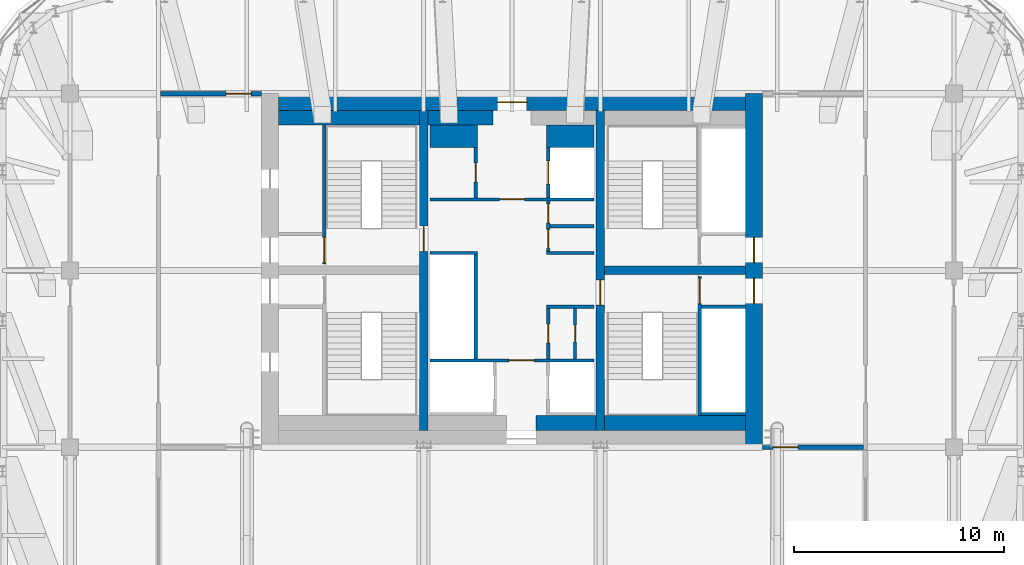
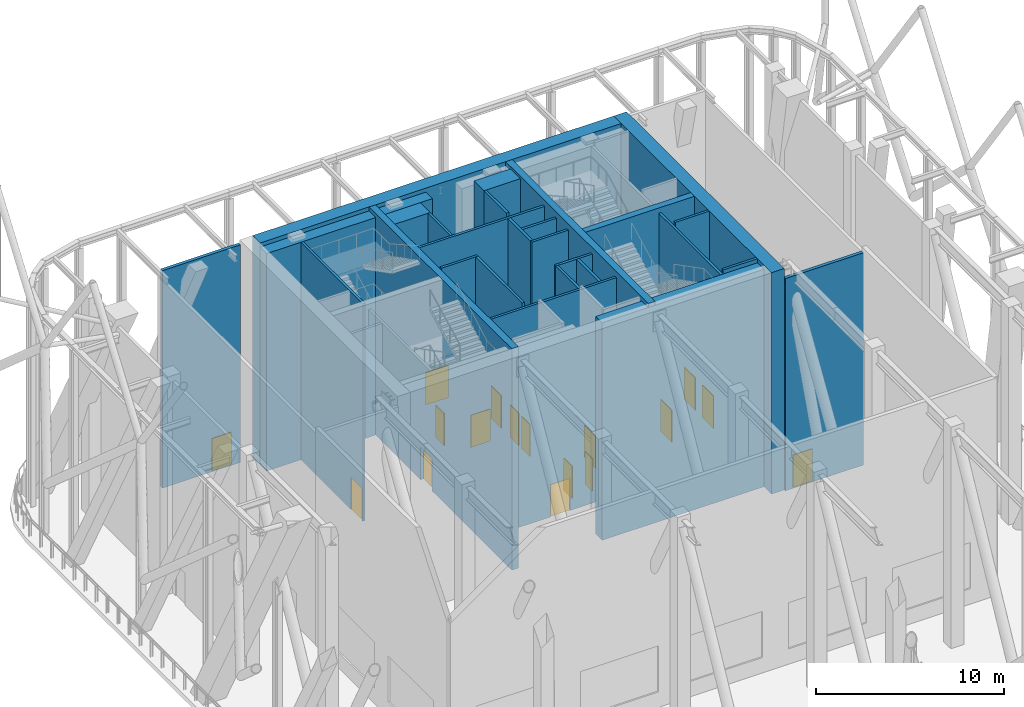
# One storey, part 11 of 20: 27 walls, 17 doors, 17 openings.
"""IFC4 building model written with IfcOpenShell, lengths in metres."""

from ifc_helpers import new_model, si_unit, direction, frame, frame_2d, origin, place, context, subcontext, project, spatial, rectangle, extrude, material, layer, layer_set, type_object, element, fill, save


model = new_model("IFC4")

# Units and contexts
model_context = context("Model", 3, precision=1e-05, world=origin(), true_north=direction((0.0, 1.0)))
body_context = subcontext(model_context, "Body", "Model", "MODEL_VIEW")
ifc_project = project(units=[si_unit("LENGTHUNIT", "METRE"), si_unit("AREAUNIT", "SQUARE_METRE"), si_unit("VOLUMEUNIT", "CUBIC_METRE"), si_unit("PLANEANGLEUNIT", "RADIAN"), si_unit("MASSUNIT", "GRAM", prefix="KILO")], contexts=[model_context])

# Site, building, storey
site_placement = place(None, origin())
site = spatial("IfcSite", under=ifc_project, at=site_placement, CompositionType="ELEMENT")
building_placement = place(site_placement, origin())
building = spatial("IfcBuilding", under=site, at=building_placement, Name="Marenta Gate Hotel Tower", CompositionType="ELEMENT")
storey_placement = place(building_placement, frame((0.0, 0.0, 252.5)))
storey = spatial("IfcBuildingStorey", under=building, at=storey_placement, Name="L60", CompositionType="ELEMENT", Elevation=252.5)

# Wall, opening, door
ifc_material_1 = material(Name="Concrete blockwork", Category="masonry")
ifc_layer_1 = layer(ifc_material_1, 0.199951171875)
ifc_layer_set_1 = layer_set([ifc_layer_1], Name="Concrete blockwork")
wall_type_1 = type_object("IfcWallType", Name="Core boundary wall 200 REI 180", PredefinedType="PARTITIONING", material=ifc_layer_set_1)
wall_1_placement = place(storey_placement, frame((-16.699951171875, 16.800048828125, 0.0), z_axis=(0.0, 0.0, 1.0), x_axis=(1.0, 0.0, 0.0)))
wall_1 = element("IfcWall", 1, at=wall_1_placement, inside=storey, type_object=wall_type_1, Name="L60-CP-EW-WN", PredefinedType="PARTITIONING", context=body_context, shape_type="SweptSolid", body=[
    extrude(rectangle(XDim=4.800048828125, YDim=0.199951171875, at=frame_2d((2.39990234375, 0.0))), origin(), (0.0, 0.0, 1.0), 14.139892578125),
])
opening_1_placement = place(wall_1_placement, frame((3.10009765625, 0.0, 0.0)))
opening_1 = element("IfcOpeningElement", 2, at=opening_1_placement, cuts=wall_1, Name="Opening RFD-WN", PredefinedType="OPENING", context=body_context, shape_type="SweptSolid", body=[
    extrude(rectangle(XDim=1.199951171875, YDim=2.10009765625, at=frame_2d((0.60009765625, 1.050048828125))), frame((0.0, 0.10009765625, 0.0), z_axis=(0.0, -1.0, 0.0), x_axis=(1.0, 0.0, 0.0)), (0.0, 0.0, 1.0), 0.199951171875),
])
ifc_material_2 = material(Name="Steel", Category="steel")
door_type_1 = type_object("IfcDoorType", Name="Core lobby door 1200x2100 FD60", OperationType="SINGLE_SWING_LEFT", PredefinedType="DOOR", material=ifc_material_2)
door_1_placement = place(opening_1_placement, origin())
door_1 = element("IfcDoor", 3, at=door_1_placement, inside=storey, type_object=door_type_1, Name="RFD-WN", OperationType="SINGLE_SWING_LEFT", OverallHeight=2.10009765625, OverallWidth=1.199951171875, PredefinedType="DOOR", context=body_context, shape_type="SweptSolid", body=[
    extrude(rectangle(XDim=1.199951171875, YDim=2.10009765625, at=frame_2d((0.60009765625, 1.050048828125))), frame((0.0, 0.02490234375, 0.0), z_axis=(0.0, -1.0, 0.0), x_axis=(1.0, 0.0, 0.0)), (0.0, 0.0, 1.0), 0.050048828125),
])
fill(opening_1, door_1)

wall_2_placement = place(storey_placement, frame((11.89990234375, 0.0, 0.0), z_axis=(0.0, 0.0, 1.0), x_axis=(1.0, 0.0, 0.0)))
wall_2 = element("IfcWall", 4, at=wall_2_placement, inside=storey, type_object=wall_type_1, Name="L60-CP-EW-ES", PredefinedType="PARTITIONING", context=body_context, shape_type="SweptSolid", body=[
    extrude(rectangle(XDim=4.800048828125, YDim=0.199951171875, at=frame_2d((2.39990234375, 0.0))), origin(), (0.0, 0.0, 1.0), 13.800048828125),
])
opening_2_placement = place(wall_2_placement, frame((0.5, 0.0, 0.0)))
opening_2 = element("IfcOpeningElement", 5, at=opening_2_placement, cuts=wall_2, Name="Opening RFD-ES", PredefinedType="OPENING", context=body_context, shape_type="SweptSolid", body=[
    extrude(rectangle(XDim=1.199951171875, YDim=2.10009765625, at=frame_2d((0.60009765625, 1.050048828125))), frame((0.0, 0.10009765625, 0.0), z_axis=(0.0, -1.0, 0.0), x_axis=(1.0, 0.0, 0.0)), (0.0, 0.0, 1.0), 0.199951171875),
])
door_2_placement = place(opening_2_placement, origin())
door_2 = element("IfcDoor", 6, at=door_2_placement, inside=storey, type_object=door_type_1, Name="RFD-ES", OperationType="SINGLE_SWING_LEFT", OverallHeight=2.10009765625, OverallWidth=1.199951171875, PredefinedType="DOOR", context=body_context, shape_type="SweptSolid", body=[
    extrude(rectangle(XDim=1.199951171875, YDim=2.10009765625, at=frame_2d((0.60009765625, 1.050048828125))), frame((0.0, 0.02490234375, 0.0), z_axis=(0.0, -1.0, 0.0), x_axis=(1.0, 0.0, 0.0)), (0.0, 0.0, 1.0), 0.050048828125),
])
fill(opening_2, door_2)

# Walls
ifc_material_3 = material(Name="Concrete C40", Category="concrete")
ifc_layer_2 = layer(ifc_material_3, 0.699951171875)
ifc_layer_set_2 = layer_set([ifc_layer_2], Name="Concrete C40")
wall_type_2 = type_object("IfcWallType", Name="Core lining wall 700 REI 180", PredefinedType="PARTITIONING", material=ifc_layer_set_2)
wall_3_placement = place(storey_placement, frame((1.14990234375, 1.14990234375, 0.0), z_axis=(0.0, 0.0, 1.0), x_axis=(1.0, 0.0, 0.0)))
element("IfcWall", 7, at=wall_3_placement, inside=storey, type_object=wall_type_2, Name="L60-CP-LN-S2", PredefinedType="PARTITIONING", context=body_context, shape_type="SweptSolid", body=[
    extrude(rectangle(XDim=9.9501953125, YDim=0.699951171875, at=frame_2d((4.97509765625, 0.0))), origin(), (0.0, 0.0, 1.0), 14.139892578125),
])
wall_4_placement = place(storey_placement, frame((-11.10009765625, 15.64990234375, 0.0), z_axis=(0.0, 0.0, 1.0), x_axis=(1.0, 0.0, 0.0)))
element("IfcWall", 8, at=wall_4_placement, inside=storey, type_object=wall_type_2, Name="L60-CP-LN-N1", PredefinedType="PARTITIONING", context=body_context, shape_type="SweptSolid", body=[
    extrude(rectangle(XDim=10.2001953125, YDim=0.699951171875, at=frame_2d((5.10009765625, 0.0))), origin(), (0.0, 0.0, 1.0), 14.139892578125),
])

# Wall, opening, door
ifc_material_4 = material(Name="Concrete blockwork", Category="masonry")
ifc_layer_3 = layer(ifc_material_4, 0.14990234375)
ifc_layer_set_3 = layer_set([ifc_layer_3], Name="Concrete blockwork")
wall_type_3 = type_object("IfcWallType", Name="Core lobby partition 150 REI 180", PredefinedType="PARTITIONING", material=ifc_layer_set_3)
wall_5_placement = place(storey_placement, frame((-3.89990234375, 4.125, 0.0), z_axis=(0.0, 0.0, 1.0), x_axis=(1.0, 0.0, 0.0)))
wall_5 = element("IfcWall", 9, at=wall_5_placement, inside=storey, type_object=wall_type_3, Name="L60-CP-CW-S", PredefinedType="PARTITIONING", context=body_context, shape_type="SweptSolid", body=[
    extrude(rectangle(XDim=7.7998046875, YDim=0.14990234375, at=frame_2d((3.89990234375, 0.0))), origin(), (0.0, 0.0, 1.0), 14.139892578125),
])
opening_3_placement = place(wall_5_placement, frame((3.75, 0.0, 0.0)))
opening_3 = element("IfcOpeningElement", 10, at=opening_3_placement, cuts=wall_5, Name="Opening FD-FFS", PredefinedType="OPENING", context=body_context, shape_type="SweptSolid", body=[
    extrude(rectangle(XDim=1.199951171875, YDim=2.10009765625, at=frame_2d((0.60009765625, 1.050048828125))), frame((0.0, 0.074951171875, 0.0), z_axis=(0.0, -1.0, 0.0), x_axis=(1.0, 0.0, 0.0)), (0.0, 0.0, 1.0), 0.14990234375),
])
door_3_placement = place(opening_3_placement, origin())
door_3 = element("IfcDoor", 11, at=door_3_placement, inside=storey, type_object=door_type_1, Name="FD-FFS", OperationType="SINGLE_SWING_LEFT", OverallHeight=2.10009765625, OverallWidth=1.199951171875, PredefinedType="DOOR", context=body_context, shape_type="SweptSolid", body=[
    extrude(rectangle(XDim=1.199951171875, YDim=2.10009765625, at=frame_2d((0.60009765625, 1.050048828125))), frame((0.0, 0.02490234375, 0.0), z_axis=(0.0, -1.0, 0.0), x_axis=(1.0, 0.0, 0.0)), (0.0, 0.0, 1.0), 0.050048828125),
])
fill(opening_3, door_3)

wall_6_placement = place(storey_placement, frame((-3.89990234375, 11.77490234375, 0.0), z_axis=(0.0, 0.0, 1.0), x_axis=(1.0, 0.0, 0.0)))
wall_6 = element("IfcWall", 12, at=wall_6_placement, inside=storey, type_object=wall_type_3, Name="L60-CP-CW-N", PredefinedType="PARTITIONING", context=body_context, shape_type="SweptSolid", body=[
    extrude(rectangle(XDim=7.7998046875, YDim=0.14990234375, at=frame_2d((3.89990234375, 0.0))), origin(), (0.0, 0.0, 1.0), 14.139892578125),
])
opening_4_placement = place(wall_6_placement, frame((3.300048828125, 0.0, 0.0)))
opening_4 = element("IfcOpeningElement", 13, at=opening_4_placement, cuts=wall_6, Name="Opening FD-FFN", PredefinedType="OPENING", context=body_context, shape_type="SweptSolid", body=[
    extrude(rectangle(XDim=1.199951171875, YDim=2.10009765625, at=frame_2d((0.60009765625, 1.050048828125))), frame((0.0, 0.074951171875, 0.0), z_axis=(0.0, -1.0, 0.0), x_axis=(1.0, 0.0, 0.0)), (0.0, 0.0, 1.0), 0.14990234375),
])
door_4_placement = place(opening_4_placement, origin())
door_4 = element("IfcDoor", 14, at=door_4_placement, inside=storey, type_object=door_type_1, Name="FD-FFN", OperationType="SINGLE_SWING_LEFT", OverallHeight=2.10009765625, OverallWidth=1.199951171875, PredefinedType="DOOR", context=body_context, shape_type="SweptSolid", body=[
    extrude(rectangle(XDim=1.199951171875, YDim=2.10009765625, at=frame_2d((0.60009765625, 1.050048828125))), frame((0.0, 0.02490234375, 0.0), z_axis=(0.0, -1.0, 0.0), x_axis=(1.0, 0.0, 0.0)), (0.0, 0.0, 1.0), 0.050048828125),
])
fill(opening_4, door_4)

# Wall
ifc_material_5 = material(Name="Concrete blockwork", Category="masonry")
ifc_layer_4 = layer(ifc_material_5, 1.050048828125)
ifc_layer_set_4 = layer_set([ifc_layer_4], Name="Concrete blockwork")
wall_type_4 = type_object("IfcWallType", Name="Core room partition 1050 REI 180", PredefinedType="PARTITIONING", material=ifc_layer_set_4)
wall_7_placement = place(storey_placement, frame((-3.89990234375, 14.77490234375, 0.0), z_axis=(0.0, 0.0, 1.0), x_axis=(1.0, 0.0, 0.0)))
element("IfcWall", 15, at=wall_7_placement, inside=storey, type_object=wall_type_4, Name="L60-CP-CW-W-riser-N", PredefinedType="PARTITIONING", context=body_context, shape_type="SweptSolid", body=[
    extrude(rectangle(XDim=2.25, YDim=1.050048828125, at=frame_2d((1.125, 0.0))), origin(), (0.0, 0.0, 1.0), 14.139892578125),
])

# Wall, opening, door
ifc_material_6 = material(Name="Concrete blockwork", Category="masonry")
ifc_layer_5 = layer(ifc_material_6, 0.14990234375)
ifc_layer_set_5 = layer_set([ifc_layer_5], Name="Concrete blockwork")
wall_type_5 = type_object("IfcWallType", Name="Core room partition 150 REI 180", PredefinedType="PARTITIONING", material=ifc_layer_set_5)
wall_8_placement = place(storey_placement, frame((-1.72509765625, 11.85009765625, 0.0), z_axis=(0.0, 0.0, 1.0), x_axis=(0.0, 1.0, 0.0)))
wall_8 = element("IfcWall", 16, at=wall_8_placement, inside=storey, type_object=wall_type_5, Name="L60-CP-CW-W-riser-front", PredefinedType="PARTITIONING", context=body_context, shape_type="SweptSolid", body=[
    extrude(rectangle(XDim=2.39990234375, YDim=0.14990234375, at=frame_2d((1.199951171875, 0.0))), origin(), (0.0, 0.0, 1.0), 14.139892578125),
])
opening_5_placement = place(wall_8_placement, frame((0.75, 0.0, 0.0)))
opening_5 = element("IfcOpeningElement", 17, at=opening_5_placement, cuts=wall_8, Name="Opening RD-CRISER", PredefinedType="OPENING", context=body_context, shape_type="SweptSolid", body=[
    extrude(rectangle(XDim=0.89990234375, YDim=2.10009765625, at=frame_2d((0.449951171875, 1.050048828125))), frame((0.0, 0.074951171875, 0.0), z_axis=(0.0, -1.0, 0.0), x_axis=(1.0, 0.0, 0.0)), (0.0, 0.0, 1.0), 0.14990234375),
])
ifc_material_7 = material(Name="Steel", Category="steel")
door_type_2 = type_object("IfcDoorType", Name="Core riser door 900x2100 FD60", OperationType="SINGLE_SWING_LEFT", PredefinedType="DOOR", material=ifc_material_7)
door_5_placement = place(opening_5_placement, origin())
door_5 = element("IfcDoor", 18, at=door_5_placement, inside=storey, type_object=door_type_2, Name="RD-CRISER", OperationType="SINGLE_SWING_LEFT", OverallHeight=2.10009765625, OverallWidth=0.89990234375, PredefinedType="DOOR", context=body_context, shape_type="SweptSolid", body=[
    extrude(rectangle(XDim=0.89990234375, YDim=2.10009765625, at=frame_2d((0.449951171875, 1.050048828125))), frame((0.0, 0.02490234375, 0.0), z_axis=(0.0, -1.0, 0.0), x_axis=(1.0, 0.0, 0.0)), (0.0, 0.0, 1.0), 0.050048828125),
])
fill(opening_5, door_5)

# Walls
for number, where, z_axis, x_axis, name in (
    (19, (1.64990234375, 6.675048828125, 0.0), (0.0, 0.0, 1.0), (1.0, 0.0, 0.0), "L60-CP-CE-sep1"),
    (20, (1.64990234375, 9.22509765625, 0.0), (0.0, 0.0, 1.0), (1.0, 0.0, 0.0), "L60-CP-CE-sep2"),
):
    element("IfcWall", number, at=place(storey_placement, frame(where, z_axis=z_axis, x_axis=x_axis)), inside=storey, type_object=wall_type_5, Name=name, PredefinedType="PARTITIONING", context=body_context, shape_type="SweptSolid", body=[
        extrude(rectangle(XDim=2.25, YDim=0.14990234375, at=frame_2d((1.125, 0.0))), origin(), (0.0, 0.0, 1.0), 14.139892578125),
    ])

# Wall, opening, door
wall_9_placement = place(storey_placement, frame((1.72509765625, 4.199951171875, 0.0), z_axis=(0.0, 0.0, 1.0), x_axis=(0.0, 1.0, 0.0)))
wall_9 = element("IfcWall", 21, at=wall_9_placement, inside=storey, type_object=wall_type_5, Name="L60-CP-CE-front-1", PredefinedType="PARTITIONING", context=body_context, shape_type="SweptSolid", body=[
    extrude(rectangle(XDim=2.400146484375, YDim=0.14990234375, at=frame_2d((1.2001953125, 0.0))), origin(), (0.0, 0.0, 1.0), 14.139892578125),
])
opening_6_placement = place(wall_9_placement, frame((0.75, 0.0, 0.0)))
opening_6 = element("IfcOpeningElement", 22, at=opening_6_placement, cuts=wall_9, Name="Opening RD-CE-1a", PredefinedType="OPENING", context=body_context, shape_type="SweptSolid", body=[
    extrude(rectangle(XDim=0.89990234375, YDim=2.10009765625, at=frame_2d((0.449951171875, 1.050048828125))), frame((0.0, 0.074951171875, 0.0), z_axis=(0.0, -1.0, 0.0), x_axis=(1.0, 0.0, 0.0)), (0.0, 0.0, 1.0), 0.14990234375),
])
ifc_material_8 = material(Name="Steel", Category="steel")
door_type_3 = type_object("IfcDoorType", Name="Core service room door 900x2100 FD30S", OperationType="SINGLE_SWING_LEFT", PredefinedType="DOOR", material=ifc_material_8)
door_6_placement = place(opening_6_placement, origin())
door_6 = element("IfcDoor", 23, at=door_6_placement, inside=storey, type_object=door_type_3, Name="RD-CE-1a", OperationType="SINGLE_SWING_LEFT", OverallHeight=2.10009765625, OverallWidth=0.89990234375, PredefinedType="DOOR", context=body_context, shape_type="SweptSolid", body=[
    extrude(rectangle(XDim=0.89990234375, YDim=2.10009765625, at=frame_2d((0.449951171875, 1.050048828125))), frame((0.0, 0.02490234375, 0.0), z_axis=(0.0, -1.0, 0.0), x_axis=(1.0, 0.0, 0.0)), (0.0, 0.0, 1.0), 0.050048828125),
])
fill(opening_6, door_6)

# Wall, openings, doors
wall_10_placement = place(storey_placement, frame((1.72509765625, 9.300048828125, 0.0), z_axis=(0.0, 0.0, 1.0), x_axis=(0.0, 1.0, 0.0)))
wall_10 = element("IfcWall", 24, at=wall_10_placement, inside=storey, type_object=wall_type_5, Name="L60-CP-CE-front-2", PredefinedType="PARTITIONING", context=body_context, shape_type="SweptSolid", body=[
    extrude(rectangle(XDim=2.39990234375, YDim=0.14990234375, at=frame_2d((1.199951171875, 0.0))), origin(), (0.0, 0.0, 1.0), 14.139892578125),
])
opening_7_placement = place(wall_10_placement, frame((0.14990234375, 0.0, 0.0)))
opening_7 = element("IfcOpeningElement", 25, at=opening_7_placement, cuts=wall_10, Name="Opening RD-CE-2a", PredefinedType="OPENING", context=body_context, shape_type="SweptSolid", body=[
    extrude(rectangle(XDim=0.89990234375, YDim=2.10009765625, at=frame_2d((0.449951171875, 1.050048828125))), frame((0.0, 0.074951171875, 0.0), z_axis=(0.0, -1.0, 0.0), x_axis=(1.0, 0.0, 0.0)), (0.0, 0.0, 1.0), 0.14990234375),
])
opening_8_placement = place(wall_10_placement, frame((1.35009765625, 0.0, 0.0)))
opening_8 = element("IfcOpeningElement", 26, at=opening_8_placement, cuts=wall_10, Name="Opening RD-CE-2b-B", PredefinedType="OPENING", context=body_context, shape_type="SweptSolid", body=[
    extrude(rectangle(XDim=0.89990234375, YDim=2.10009765625, at=frame_2d((0.449951171875, 1.050048828125))), frame((0.0, 0.074951171875, 0.0), z_axis=(0.0, -1.0, 0.0), x_axis=(1.0, 0.0, 0.0)), (0.0, 0.0, 1.0), 0.14990234375),
])
door_7_placement = place(opening_7_placement, origin())
door_7 = element("IfcDoor", 27, at=door_7_placement, inside=storey, type_object=door_type_3, Name="RD-CE-2a", OperationType="SINGLE_SWING_LEFT", OverallHeight=2.10009765625, OverallWidth=0.89990234375, PredefinedType="DOOR", context=body_context, shape_type="SweptSolid", body=[
    extrude(rectangle(XDim=0.89990234375, YDim=2.10009765625, at=frame_2d((0.449951171875, 1.050048828125))), frame((0.0, 0.02490234375, 0.0), z_axis=(0.0, -1.0, 0.0), x_axis=(1.0, 0.0, 0.0)), (0.0, 0.0, 1.0), 0.050048828125),
])
fill(opening_7, door_7)
door_8_placement = place(opening_8_placement, origin())
door_8 = element("IfcDoor", 28, at=door_8_placement, inside=storey, type_object=door_type_3, Name="RD-CE-2b-B", OperationType="SINGLE_SWING_LEFT", OverallHeight=2.10009765625, OverallWidth=0.89990234375, PredefinedType="DOOR", context=body_context, shape_type="SweptSolid", body=[
    extrude(rectangle(XDim=0.89990234375, YDim=2.10009765625, at=frame_2d((0.449951171875, 1.050048828125))), frame((0.0, 0.02490234375, 0.0), z_axis=(0.0, -1.0, 0.0), x_axis=(1.0, 0.0, 0.0)), (0.0, 0.0, 1.0), 0.050048828125),
])
fill(opening_8, door_8)

# Wall, opening, door
wall_11_placement = place(storey_placement, frame((3.0, 4.199951171875, 0.0), z_axis=(0.0, 0.0, 1.0), x_axis=(0.0, 1.0, 0.0)))
wall_11 = element("IfcWall", 29, at=wall_11_placement, inside=storey, type_object=wall_type_5, Name="L60-CP-CE-RW-1", PredefinedType="PARTITIONING", context=body_context, shape_type="SweptSolid", body=[
    extrude(rectangle(XDim=2.400146484375, YDim=0.14990234375, at=frame_2d((1.2001953125, 0.0))), origin(), (0.0, 0.0, 1.0), 14.139892578125),
])
opening_9_placement = place(wall_11_placement, frame((0.800048828125, 0.0, 0.0)))
opening_9 = element("IfcOpeningElement", 30, at=opening_9_placement, cuts=wall_11, Name="Opening RD-CE-1b-A", PredefinedType="OPENING", context=body_context, shape_type="SweptSolid", body=[
    extrude(rectangle(XDim=0.800048828125, YDim=2.10009765625, at=frame_2d((0.39990234375, 1.050048828125))), frame((0.0, 0.074951171875, 0.0), z_axis=(0.0, -1.0, 0.0), x_axis=(1.0, 0.0, 0.0)), (0.0, 0.0, 1.0), 0.14990234375),
])
ifc_material_9 = material(Name="Steel", Category="steel")
door_type_4 = type_object("IfcDoorType", Name="Core riser door 800x2100 FD60", OperationType="SINGLE_SWING_LEFT", PredefinedType="DOOR", material=ifc_material_9)
door_9_placement = place(opening_9_placement, origin())
door_9 = element("IfcDoor", 31, at=door_9_placement, inside=storey, type_object=door_type_4, Name="RD-CE-1b-A", OperationType="SINGLE_SWING_LEFT", OverallHeight=2.10009765625, OverallWidth=0.800048828125, PredefinedType="DOOR", context=body_context, shape_type="SweptSolid", body=[
    extrude(rectangle(XDim=0.800048828125, YDim=2.10009765625, at=frame_2d((0.39990234375, 1.050048828125))), frame((0.0, 0.02490234375, 0.0), z_axis=(0.0, -1.0, 0.0), x_axis=(1.0, 0.0, 0.0)), (0.0, 0.0, 1.0), 0.050048828125),
])
fill(opening_9, door_9)

# Walls
wall_12_placement = place(storey_placement, frame((1.800048828125, 10.5, 0.0), z_axis=(0.0, 0.0, 1.0), x_axis=(1.0, 0.0, 0.0)))
element("IfcWall", 32, at=wall_12_placement, inside=storey, type_object=wall_type_5, Name="L60-CP-CE-RW-2", PredefinedType="PARTITIONING", context=body_context, shape_type="SweptSolid", body=[
    extrude(rectangle(XDim=2.099853515625, YDim=0.14990234375, at=frame_2d((1.0498046875, 0.0))), origin(), (0.0, 0.0, 1.0), 14.139892578125),
])
ifc_material_10 = material(Name="Concrete C40", Category="concrete")
ifc_layer_6 = layer(ifc_material_10, 1.050048828125)
ifc_layer_set_6 = layer_set([ifc_layer_6], Name="Concrete C40")
wall_type_6 = type_object("IfcWallType", Name="Core shaft wall 1050 REI 180", PredefinedType="SHEAR", material=ifc_layer_set_6)
wall_13_placement = place(storey_placement, frame((1.64990234375, 14.77490234375, 0.0), z_axis=(0.0, 0.0, 1.0), x_axis=(1.0, 0.0, 0.0)))
element("IfcWall", 33, at=wall_13_placement, inside=storey, type_object=wall_type_6, Name="L60-SHF-CE-N-top", PredefinedType="SHEAR", context=body_context, shape_type="SweptSolid", body=[
    extrude(rectangle(XDim=2.25, YDim=1.050048828125, at=frame_2d((1.125, 0.0))), origin(), (0.0, 0.0, 1.0), 14.39990234375),
])
ifc_material_11 = material(Name="Concrete C40", Category="concrete")
ifc_layer_7 = layer(ifc_material_11, 0.14990234375)
ifc_layer_set_7 = layer_set([ifc_layer_7], Name="Concrete C40")
wall_type_7 = type_object("IfcWallType", Name="Core shaft wall 150 REI 180", PredefinedType="SHEAR", material=ifc_layer_set_7)
for number, where, z_axis, x_axis, name in (
    (34, (9.0, 6.675048828125, 0.0), (0.0, 0.0, 1.0), (1.0, 0.0, 0.0), "L60-SHF-SW-ES-2"),
    (35, (9.0, 1.574951171875, 0.0), (0.0, 0.0, 1.0), (1.0, 0.0, 0.0), "L60-SHF-SW-ES-5"),
):
    element("IfcWall", number, at=place(storey_placement, frame(where, z_axis=z_axis, x_axis=x_axis)), inside=storey, type_object=wall_type_7, Name=name, PredefinedType="SHEAR", context=body_context, shape_type="SweptSolid", body=[
        extrude(rectangle(XDim=2.10009765625, YDim=0.14990234375, at=frame_2d((1.050048828125, 0.0))), origin(), (0.0, 0.0, 1.0), 14.39990234375),
    ])
wall_14_placement = place(storey_placement, frame((-1.72509765625, 4.199951171875, 0.0), z_axis=(0.0, 0.0, 1.0), x_axis=(0.0, 1.0, 0.0)))
element("IfcWall", 36, at=wall_14_placement, inside=storey, type_object=wall_type_7, Name="L60-SHF-CW-W-front", PredefinedType="SHEAR", context=body_context, shape_type="SweptSolid", body=[
    extrude(rectangle(XDim=4.949951171875, YDim=0.14990234375, at=frame_2d((2.47509765625, 0.0))), origin(), (0.0, 0.0, 1.0), 14.39990234375),
])
wall_15_placement = place(storey_placement, frame((-3.89990234375, 9.22509765625, 0.0), z_axis=(0.0, 0.0, 1.0), x_axis=(1.0, 0.0, 0.0)))
element("IfcWall", 37, at=wall_15_placement, inside=storey, type_object=wall_type_7, Name="L60-SHF-CW-W-sep", PredefinedType="SHEAR", context=body_context, shape_type="SweptSolid", body=[
    extrude(rectangle(XDim=2.25, YDim=0.14990234375, at=frame_2d((1.125, 0.0))), origin(), (0.0, 0.0, 1.0), 14.39990234375),
])

# Wall, opening, door
wall_16_placement = place(storey_placement, frame((1.72509765625, 11.85009765625, 0.0), z_axis=(0.0, 0.0, 1.0), x_axis=(0.0, 1.0, 0.0)))
wall_16 = element("IfcWall", 38, at=wall_16_placement, inside=storey, type_object=wall_type_7, Name="L60-SHF-CE-N-front2", PredefinedType="SHEAR", context=body_context, shape_type="SweptSolid", body=[
    extrude(rectangle(XDim=2.39990234375, YDim=0.14990234375, at=frame_2d((1.199951171875, 0.0))), origin(), (0.0, 0.0, 1.0), 14.39990234375),
])
opening_10_placement = place(wall_16_placement, frame((0.64990234375, 0.0, 0.0)))
opening_10 = element("IfcOpeningElement", 39, at=opening_10_placement, cuts=wall_16, Name="Opening LD-FF2", PredefinedType="OPENING", context=body_context, shape_type="SweptSolid", body=[
    extrude(rectangle(XDim=1.10009765625, YDim=2.10009765625, at=frame_2d((0.550048828125, 1.050048828125))), frame((0.0, 0.074951171875, 0.0), z_axis=(0.0, -1.0, 0.0), x_axis=(1.0, 0.0, 0.0)), (0.0, 0.0, 1.0), 0.14990234375),
])
ifc_material_12 = material(Name="Steel", Category="steel")
door_type_5 = type_object("IfcDoorType", Name="Core lift landing door 1100x2100 E 60", OperationType="SLIDING_TO_LEFT", PredefinedType="DOOR", material=ifc_material_12)
door_10_placement = place(opening_10_placement, origin())
door_10 = element("IfcDoor", 40, at=door_10_placement, inside=storey, type_object=door_type_5, Name="LD-FF2", OperationType="SLIDING_TO_LEFT", OverallHeight=2.10009765625, OverallWidth=1.10009765625, PredefinedType="DOOR", context=body_context, shape_type="SweptSolid", body=[
    extrude(rectangle(XDim=1.10009765625, YDim=2.10009765625, at=frame_2d((0.550048828125, 1.050048828125))), frame((0.0, 0.02490234375, 0.0), z_axis=(0.0, -1.0, 0.0), x_axis=(1.0, 0.0, 0.0)), (0.0, 0.0, 1.0), 0.050048828125),
])
fill(opening_10, door_10)

ifc_material_13 = material(Name="Concrete C40", Category="concrete")
ifc_layer_8 = layer(ifc_material_13, 0.14990234375)
ifc_layer_set_8 = layer_set([ifc_layer_8], Name="Concrete C40")
wall_type_8 = type_object("IfcWallType", Name="Core stair enclosure wall 150 REI 180", PredefinedType="SHEAR", material=ifc_layer_set_8)
wall_17_placement = place(storey_placement, frame((-8.925048828125, 8.699951171875, 0.0), z_axis=(0.0, 0.0, 1.0), x_axis=(0.0, 1.0, 0.0)))
wall_17 = element("IfcWall", 41, at=wall_17_placement, inside=storey, type_object=wall_type_8, Name="L60-SHF-SW-WN-3", PredefinedType="SHEAR", context=body_context, shape_type="SweptSolid", body=[
    extrude(rectangle(XDim=6.60009765625, YDim=0.14990234375, at=frame_2d((3.300048828125, 0.0))), origin(), (0.0, 0.0, 1.0), 14.139892578125),
])
opening_11_placement = place(wall_17_placement, frame((0.074951171875, 0.0, 0.0)))
opening_11 = element("IfcOpeningElement", 42, at=opening_11_placement, cuts=wall_17, Name="Opening SD-WN", PredefinedType="OPENING", context=body_context, shape_type="SweptSolid", body=[
    extrude(rectangle(XDim=1.199951171875, YDim=2.10009765625, at=frame_2d((0.60009765625, 1.050048828125))), frame((0.0, 0.074951171875, 0.0), z_axis=(0.0, -1.0, 0.0), x_axis=(1.0, 0.0, 0.0)), (0.0, 0.0, 1.0), 0.14990234375),
])
ifc_material_14 = material(Name="Steel", Category="steel")
door_type_6 = type_object("IfcDoorType", Name="Core stair door 1200x2100 FD60", OperationType="SINGLE_SWING_LEFT", PredefinedType="DOOR", material=ifc_material_14)
door_11_placement = place(opening_11_placement, origin())
door_11 = element("IfcDoor", 43, at=door_11_placement, inside=storey, type_object=door_type_6, Name="SD-WN", OperationType="SINGLE_SWING_LEFT", OverallHeight=2.10009765625, OverallWidth=1.199951171875, PredefinedType="DOOR", context=body_context, shape_type="SweptSolid", body=[
    extrude(rectangle(XDim=1.199951171875, YDim=2.10009765625, at=frame_2d((0.60009765625, 1.050048828125))), frame((0.0, 0.02490234375, 0.0), z_axis=(0.0, -1.0, 0.0), x_axis=(1.0, 0.0, 0.0)), (0.0, 0.0, 1.0), 0.050048828125),
])
fill(opening_11, door_11)

wall_18_placement = place(storey_placement, frame((8.925048828125, 1.5, 0.0), z_axis=(0.0, 0.0, 1.0), x_axis=(0.0, 1.0, 0.0)))
wall_18 = element("IfcWall", 44, at=wall_18_placement, inside=storey, type_object=wall_type_8, Name="L60-SHF-SW-ES-3", PredefinedType="SHEAR", context=body_context, shape_type="SweptSolid", body=[
    extrude(rectangle(XDim=6.60009765625, YDim=0.14990234375, at=frame_2d((3.300048828125, 0.0))), origin(), (0.0, 0.0, 1.0), 14.139892578125),
])
opening_12_placement = place(wall_18_placement, frame((5.324951171875, 0.0, 0.0)))
opening_12 = element("IfcOpeningElement", 45, at=opening_12_placement, cuts=wall_18, Name="Opening SD-ES", PredefinedType="OPENING", context=body_context, shape_type="SweptSolid", body=[
    extrude(rectangle(XDim=1.199951171875, YDim=2.10009765625, at=frame_2d((0.60009765625, 1.050048828125))), frame((0.0, 0.074951171875, 0.0), z_axis=(0.0, -1.0, 0.0), x_axis=(1.0, 0.0, 0.0)), (0.0, 0.0, 1.0), 0.14990234375),
])
door_12_placement = place(opening_12_placement, origin())
door_12 = element("IfcDoor", 46, at=door_12_placement, inside=storey, type_object=door_type_6, Name="SD-ES", OperationType="SINGLE_SWING_LEFT", OverallHeight=2.10009765625, OverallWidth=1.199951171875, PredefinedType="DOOR", context=body_context, shape_type="SweptSolid", body=[
    extrude(rectangle(XDim=1.199951171875, YDim=2.10009765625, at=frame_2d((0.60009765625, 1.050048828125))), frame((0.0, 0.02490234375, 0.0), z_axis=(0.0, -1.0, 0.0), x_axis=(1.0, 0.0, 0.0)), (0.0, 0.0, 1.0), 0.050048828125),
])
fill(opening_12, door_12)

# Wall, openings, doors
ifc_material_15 = material(Name="Concrete C60", Category="concrete")
ifc_layer_9 = layer(ifc_material_15, 0.800048828125)
ifc_layer_set_9 = layer_set([ifc_layer_9], Name="Concrete C60")
wall_type_9 = type_object("IfcWallType", Name="Core wall 800 C60", PredefinedType="SHEAR", material=ifc_layer_set_9)
wall_19_placement = place(storey_placement, frame((11.5, 0.0, 0.0), z_axis=(0.0, 0.0, 1.0), x_axis=(0.0, 1.0, 0.0)))
wall_19 = element("IfcWall", 47, at=wall_19_placement, inside=storey, type_object=wall_type_9, Name="L60-CORE-E", PredefinedType="SHEAR", context=body_context, shape_type="SweptSolid", body=[
    extrude(rectangle(XDim=16.800048828125, YDim=0.800048828125, at=frame_2d((8.39990234375, 0.0))), origin(), (0.0, 0.0, 1.0), 14.39990234375),
])
opening_13_placement = place(wall_19_placement, frame((6.824951171875, 0.0, 0.0)))
opening_13 = element("IfcOpeningElement", 48, at=opening_13_placement, cuts=wall_19, Name="Opening PD-ES", PredefinedType="OPENING", context=body_context, shape_type="SweptSolid", body=[
    extrude(rectangle(XDim=1.199951171875, YDim=2.10009765625, at=frame_2d((0.60009765625, 1.050048828125))), frame((0.0, 0.39990234375, 0.0), z_axis=(0.0, -1.0, 0.0), x_axis=(1.0, 0.0, 0.0)), (0.0, 0.0, 1.0), 0.800048828125),
])
opening_14_placement = place(wall_19_placement, frame((8.77490234375, 0.0, 0.0)))
opening_14 = element("IfcOpeningElement", 49, at=opening_14_placement, cuts=wall_19, Name="Opening PD-EN", PredefinedType="OPENING", context=body_context, shape_type="SweptSolid", body=[
    extrude(rectangle(XDim=1.199951171875, YDim=2.10009765625, at=frame_2d((0.60009765625, 1.050048828125))), frame((0.0, 0.39990234375, 0.0), z_axis=(0.0, -1.0, 0.0), x_axis=(1.0, 0.0, 0.0)), (0.0, 0.0, 1.0), 0.800048828125),
])
door_13_placement = place(opening_13_placement, origin())
door_13 = element("IfcDoor", 50, at=door_13_placement, inside=storey, type_object=door_type_1, Name="PD-ES", OperationType="SINGLE_SWING_LEFT", OverallHeight=2.10009765625, OverallWidth=1.199951171875, PredefinedType="DOOR", context=body_context, shape_type="SweptSolid", body=[
    extrude(rectangle(XDim=1.199951171875, YDim=2.10009765625, at=frame_2d((0.60009765625, 1.050048828125))), frame((0.0, 0.02490234375, 0.0), z_axis=(0.0, -1.0, 0.0), x_axis=(1.0, 0.0, 0.0)), (0.0, 0.0, 1.0), 0.050048828125),
])
fill(opening_13, door_13)
door_14_placement = place(opening_14_placement, origin())
door_14 = element("IfcDoor", 51, at=door_14_placement, inside=storey, type_object=door_type_1, Name="PD-EN", OperationType="SINGLE_SWING_LEFT", OverallHeight=2.10009765625, OverallWidth=1.199951171875, PredefinedType="DOOR", context=body_context, shape_type="SweptSolid", body=[
    extrude(rectangle(XDim=1.199951171875, YDim=2.10009765625, at=frame_2d((0.60009765625, 1.050048828125))), frame((0.0, 0.02490234375, 0.0), z_axis=(0.0, -1.0, 0.0), x_axis=(1.0, 0.0, 0.0)), (0.0, 0.0, 1.0), 0.050048828125),
])
fill(opening_14, door_14)

# Wall, opening, door
wall_20_placement = place(storey_placement, frame((-11.10009765625, 16.39990234375, 0.0), z_axis=(0.0, 0.0, 1.0), x_axis=(1.0, 0.0, 0.0)))
wall_20 = element("IfcWall", 52, at=wall_20_placement, inside=storey, type_object=wall_type_9, Name="L60-CORE-N", PredefinedType="SHEAR", context=body_context, shape_type="SweptSolid", body=[
    extrude(rectangle(XDim=22.2001953125, YDim=0.800048828125, at=frame_2d((11.10009765625, 0.0))), origin(), (0.0, 0.0, 1.0), 14.39990234375),
])
opening_15_placement = place(wall_20_placement, frame((10.39990234375, 0.0, 0.0)))
opening_15 = element("IfcOpeningElement", 53, at=opening_15_placement, cuts=wall_20, Name="Opening RFD-N", PredefinedType="OPENING", context=body_context, shape_type="SweptSolid", body=[
    extrude(rectangle(XDim=1.39990234375, YDim=2.10009765625, at=frame_2d((0.699951171875, 1.050048828125))), frame((0.0, 0.39990234375, 0.0), z_axis=(0.0, -1.0, 0.0), x_axis=(1.0, 0.0, 0.0)), (0.0, 0.0, 1.0), 0.800048828125),
])
ifc_material_16 = material(Name="Steel", Category="steel")
door_type_7 = type_object("IfcDoorType", Name="Core lobby door 1400x2100 FD60", OperationType="SINGLE_SWING_LEFT", PredefinedType="DOOR", material=ifc_material_16)
door_15_placement = place(opening_15_placement, origin())
door_15 = element("IfcDoor", 54, at=door_15_placement, inside=storey, type_object=door_type_7, Name="RFD-N", OperationType="SINGLE_SWING_LEFT", OverallHeight=2.10009765625, OverallWidth=1.39990234375, PredefinedType="DOOR", context=body_context, shape_type="SweptSolid", body=[
    extrude(rectangle(XDim=1.39990234375, YDim=2.10009765625, at=frame_2d((0.699951171875, 1.050048828125))), frame((0.0, 0.02490234375, 0.0), z_axis=(0.0, -1.0, 0.0), x_axis=(1.0, 0.0, 0.0)), (0.0, 0.0, 1.0), 0.050048828125),
])
fill(opening_15, door_15)

ifc_material_17 = material(Name="Concrete C60", Category="concrete")
ifc_layer_10 = layer(ifc_material_17, 0.39990234375)
ifc_layer_set_10 = layer_set([ifc_layer_10], Name="Concrete C60")
wall_type_10 = type_object("IfcWallType", Name="Core web 400 C60", PredefinedType="SHEAR", material=ifc_layer_set_10)
wall_21_placement = place(storey_placement, frame((-4.199951171875, 0.800048828125, 0.0), z_axis=(0.0, 0.0, 1.0), x_axis=(0.0, 1.0, 0.0)))
wall_21 = element("IfcWall", 55, at=wall_21_placement, inside=storey, type_object=wall_type_10, Name="L60-CORE-W1", PredefinedType="SHEAR", context=body_context, shape_type="SweptSolid", body=[
    extrude(rectangle(XDim=15.199951171875, YDim=0.39990234375, at=frame_2d((7.60009765625, 0.0))), origin(), (0.0, 0.0, 1.0), 14.39990234375),
])
opening_16_placement = place(wall_21_placement, frame((8.5, 0.0, 0.0)))
opening_16 = element("IfcOpeningElement", 56, at=opening_16_placement, cuts=wall_21, Name="Opening WD-W", PredefinedType="OPENING", context=body_context, shape_type="SweptSolid", body=[
    extrude(rectangle(XDim=1.199951171875, YDim=2.10009765625, at=frame_2d((0.60009765625, 1.050048828125))), frame((0.0, 0.199951171875, 0.0), z_axis=(0.0, -1.0, 0.0), x_axis=(1.0, 0.0, 0.0)), (0.0, 0.0, 1.0), 0.39990234375),
])
door_16_placement = place(opening_16_placement, origin())
door_16 = element("IfcDoor", 57, at=door_16_placement, inside=storey, type_object=door_type_6, Name="WD-W", OperationType="SINGLE_SWING_LEFT", OverallHeight=2.10009765625, OverallWidth=1.199951171875, PredefinedType="DOOR", context=body_context, shape_type="SweptSolid", body=[
    extrude(rectangle(XDim=1.199951171875, YDim=2.10009765625, at=frame_2d((0.60009765625, 1.050048828125))), frame((0.0, 0.02490234375, 0.0), z_axis=(0.0, -1.0, 0.0), x_axis=(1.0, 0.0, 0.0)), (0.0, 0.0, 1.0), 0.050048828125),
])
fill(opening_16, door_16)

wall_22_placement = place(storey_placement, frame((4.199951171875, 0.800048828125, 0.0), z_axis=(0.0, 0.0, 1.0), x_axis=(0.0, 1.0, 0.0)))
wall_22 = element("IfcWall", 58, at=wall_22_placement, inside=storey, type_object=wall_type_10, Name="L60-CORE-W2", PredefinedType="SHEAR", context=body_context, shape_type="SweptSolid", body=[
    extrude(rectangle(XDim=15.199951171875, YDim=0.39990234375, at=frame_2d((7.60009765625, 0.0))), origin(), (0.0, 0.0, 1.0), 14.39990234375),
])
opening_17_placement = place(wall_22_placement, frame((5.949951171875, 0.0, 0.0)))
opening_17 = element("IfcOpeningElement", 59, at=opening_17_placement, cuts=wall_22, Name="Opening WD-E", PredefinedType="OPENING", context=body_context, shape_type="SweptSolid", body=[
    extrude(rectangle(XDim=1.199951171875, YDim=2.10009765625, at=frame_2d((0.60009765625, 1.050048828125))), frame((0.0, 0.199951171875, 0.0), z_axis=(0.0, -1.0, 0.0), x_axis=(1.0, 0.0, 0.0)), (0.0, 0.0, 1.0), 0.39990234375),
])
door_17_placement = place(opening_17_placement, origin())
door_17 = element("IfcDoor", 60, at=door_17_placement, inside=storey, type_object=door_type_6, Name="WD-E", OperationType="SINGLE_SWING_LEFT", OverallHeight=2.10009765625, OverallWidth=1.199951171875, PredefinedType="DOOR", context=body_context, shape_type="SweptSolid", body=[
    extrude(rectangle(XDim=1.199951171875, YDim=2.10009765625, at=frame_2d((0.60009765625, 1.050048828125))), frame((0.0, 0.02490234375, 0.0), z_axis=(0.0, -1.0, 0.0), x_axis=(1.0, 0.0, 0.0)), (0.0, 0.0, 1.0), 0.050048828125),
])
fill(opening_17, door_17)

# Wall
wall_23_placement = place(storey_placement, frame((4.39990234375, 8.39990234375, 0.0), z_axis=(0.0, 0.0, 1.0), x_axis=(1.0, 0.0, 0.0)))
element("IfcWall", 61, at=wall_23_placement, inside=storey, type_object=wall_type_10, Name="L60-CORE-W4", PredefinedType="SHEAR", context=body_context, shape_type="SweptSolid", body=[
    extrude(rectangle(XDim=6.7001953125, YDim=0.39990234375, at=frame_2d((3.35009765625, 0.0))), origin(), (0.0, 0.0, 1.0), 14.39990234375),
])

save(model, "model.ifc")
